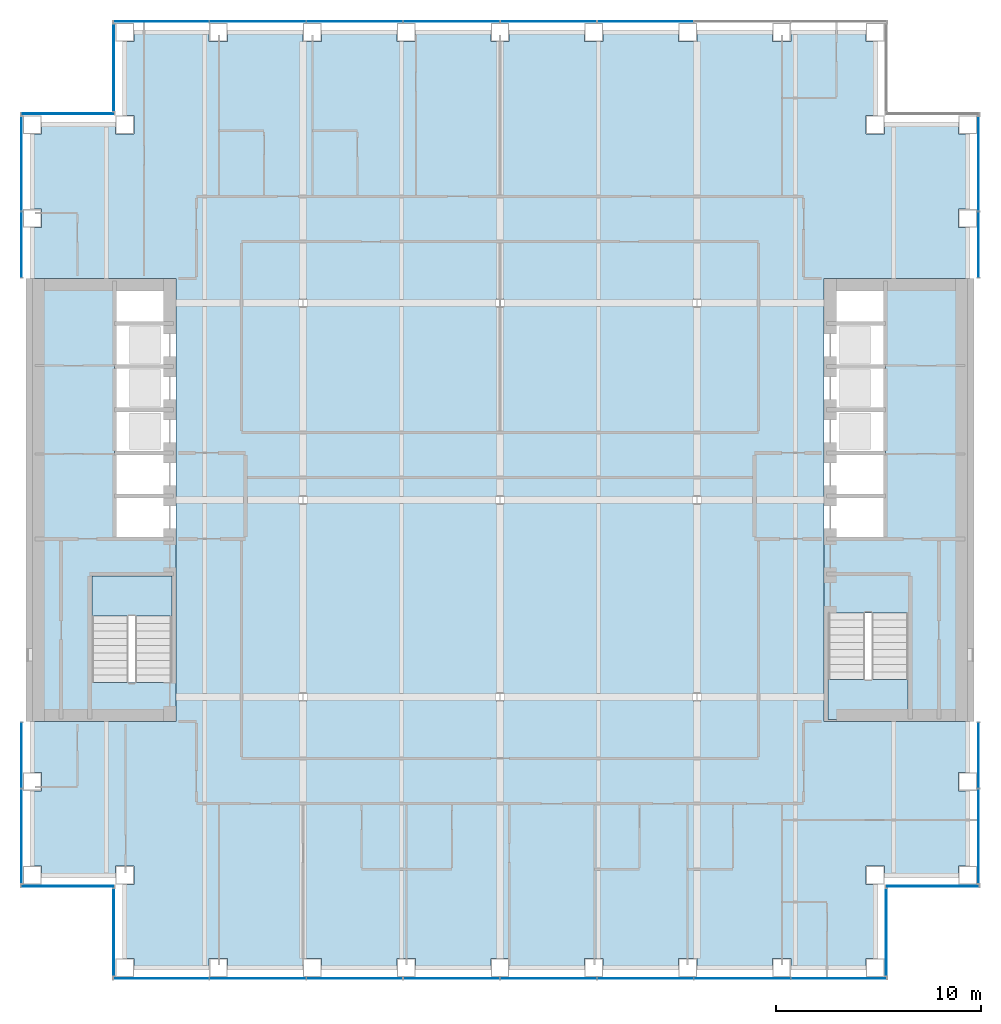
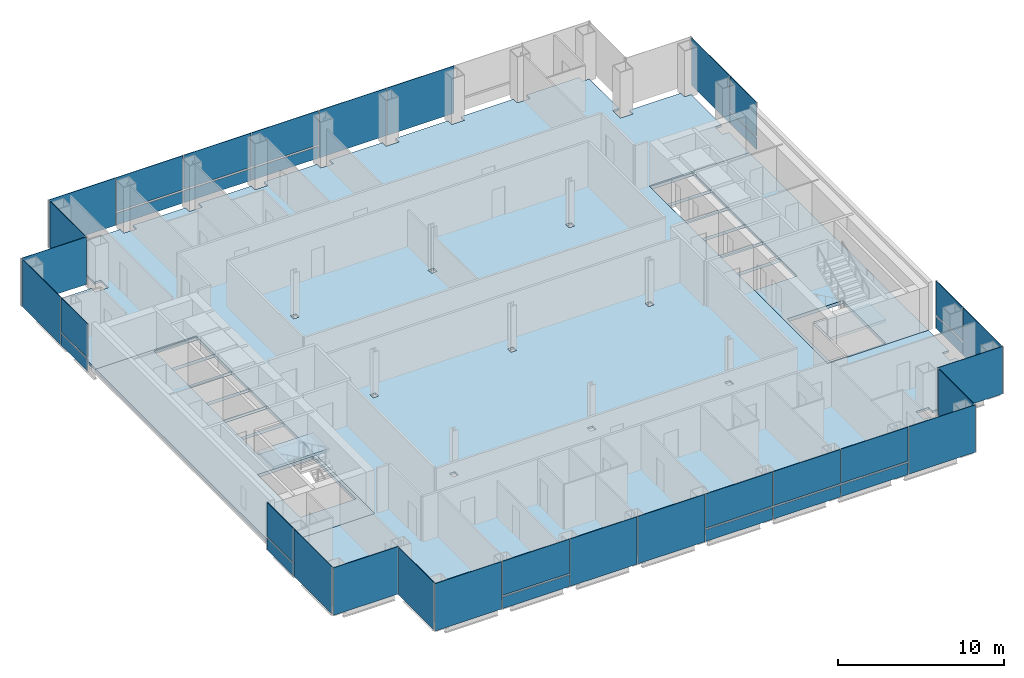
# One storey, part 9 of 15: 39 plates, 5 slabs, 14 elements without a shape of their own.
"""IFC4 building model written with IfcOpenShell, lengths in metres."""

from ifc_helpers import new_model, si_unit, direction, frame, origin, origin_2d, place, context, subcontext, project, spatial, polyline, rectangle, outline, extrude, material, layer, layer_set, type_object, element, aggregate, save


model = new_model("IFC4")

# Units and contexts
model_context = context("Model", 3, precision=1e-05, world=origin(), true_north=direction((0.0, 1.0)))
body_context = subcontext(model_context, "Body", "Model", "MODEL_VIEW")
ifc_project = project(units=[si_unit("LENGTHUNIT", "METRE"), si_unit("AREAUNIT", "SQUARE_METRE"), si_unit("VOLUMEUNIT", "CUBIC_METRE"), si_unit("PLANEANGLEUNIT", "RADIAN"), si_unit("MASSUNIT", "GRAM", prefix="KILO")], contexts=[model_context])

# Site, building, storey
site_placement = place(None, origin())
site = spatial("IfcSite", under=ifc_project, at=site_placement, CompositionType="ELEMENT")
building_placement = place(site_placement, origin())
building = spatial("IfcBuilding", under=site, at=building_placement, Name="Cobrizo Arcos Hotel Tower", CompositionType="ELEMENT")
storey_placement = place(building_placement, frame((0.0, 0.0, 99.5)))
storey = spatial("IfcBuildingStorey", under=building, at=storey_placement, Name="L24", CompositionType="ELEMENT", Elevation=99.5)

# Curtain wall, plates
ifc_material_1 = material(Name="Aluminium 6063-T6 anodised bronze", Category="aluminium")
curtain_wall_type = type_object("IfcCurtainWallType", Name="CW-A guest facade", PredefinedType="NOTDEFINED", material=ifc_material_1)
curtain_wall_1_placement = place(storey_placement, origin())
curtain_wall_1 = element("IfcCurtainWall", 1, at=curtain_wall_1_placement, inside=storey, type_object=curtain_wall_type, Name="CW-A L24 S face", PredefinedType="NOTDEFINED")
ifc_material_2 = material(Name="Glass clear laminated low-e", Category="glass")
ifc_layer_1 = layer(ifc_material_2, 0.0400390625)
ifc_layer_set_1 = layer_set([ifc_layer_1], Name="CW-A glass panel")
plate_type_1 = type_object("IfcPlateType", Name="CW-A glass panel", PredefinedType="CURTAIN_PANEL", material=ifc_layer_set_1)
plate_1_placement = place(storey_placement, frame((-11.8125, -23.324951171875, 0.990234375), z_axis=(0.0, 0.0, 1.0), x_axis=(1.0, 0.0, 0.0)))
plate_1 = element("IfcPlate", 2, at=plate_1_placement, type_object=plate_type_1, Name="CW-A glass panel 948", PredefinedType="CURTAIN_PANEL", context=body_context, shape_type="SweptSolid", body=[
    extrude(rectangle(XDim=4.6650390625, YDim=0.0400390625, at=origin_2d()), origin(), (0.0, 0.0, 1.0), 2.510009765625),
])
plate_2_placement = place(storey_placement, frame((2.362548828125, -23.324951171875, 0.990234375), z_axis=(0.0, 0.0, 1.0), x_axis=(1.0, 0.0, 0.0)))
plate_2 = element("IfcPlate", 3, at=plate_2_placement, type_object=plate_type_1, Name="CW-A glass panel 951", PredefinedType="CURTAIN_PANEL", context=body_context, shape_type="SweptSolid", body=[
    extrude(rectangle(XDim=4.6650390625, YDim=0.0400390625, at=origin_2d()), origin(), (0.0, 0.0, 1.0), 2.510009765625),
])
plate_3_placement = place(storey_placement, frame((7.08740234375, -23.324951171875, 0.990234375), z_axis=(0.0, 0.0, 1.0), x_axis=(1.0, 0.0, 0.0)))
plate_3 = element("IfcPlate", 4, at=plate_3_placement, type_object=plate_type_1, Name="CW-A glass panel 952", PredefinedType="CURTAIN_PANEL", context=body_context, shape_type="SweptSolid", body=[
    extrude(rectangle(XDim=4.6650390625, YDim=0.0400390625, at=origin_2d()), origin(), (0.0, 0.0, 1.0), 2.510009765625),
])
plate_4_placement = place(storey_placement, frame((11.8125, -23.324951171875, 0.990234375), z_axis=(0.0, 0.0, 1.0), x_axis=(1.0, 0.0, 0.0)))
plate_4 = element("IfcPlate", 5, at=plate_4_placement, type_object=plate_type_1, Name="CW-A glass panel 953", PredefinedType="CURTAIN_PANEL", context=body_context, shape_type="SweptSolid", body=[
    extrude(rectangle(XDim=4.6650390625, YDim=0.0400390625, at=origin_2d()), origin(), (0.0, 0.0, 1.0), 2.510009765625),
])

# Curtain wall, plate
curtain_wall_2_placement = place(storey_placement, origin())
curtain_wall_2 = element("IfcCurtainWall", 6, at=curtain_wall_2_placement, inside=storey, type_object=curtain_wall_type, Name="CW-A L24 E face", PredefinedType="NOTDEFINED")
plate_5_placement = place(storey_placement, frame((23.324951171875, -12.4462890625, 0.990234375), z_axis=(0.0, 0.0, 1.0), x_axis=(0.0, 1.0, 0.0)))
plate_5 = element("IfcPlate", 7, at=plate_5_placement, type_object=plate_type_1, Name="CW-A glass panel 958", PredefinedType="CURTAIN_PANEL", context=body_context, shape_type="SweptSolid", body=[
    extrude(rectangle(XDim=3.172607421875, YDim=0.0400390625, at=origin_2d()), origin(), (0.0, 0.0, 1.0), 2.510009765625),
])

curtain_wall_3_placement = place(storey_placement, origin())
curtain_wall_3 = element("IfcCurtainWall", 8, at=curtain_wall_3_placement, inside=storey, type_object=curtain_wall_type, Name="CW-A L24 E face", PredefinedType="NOTDEFINED")
plate_6_placement = place(storey_placement, frame((23.324951171875, 12.4462890625, 0.990234375), z_axis=(0.0, 0.0, 1.0), x_axis=(0.0, 1.0, 0.0)))
plate_6 = element("IfcPlate", 9, at=plate_6_placement, type_object=plate_type_1, Name="CW-A glass panel 959", PredefinedType="CURTAIN_PANEL", context=body_context, shape_type="SweptSolid", body=[
    extrude(rectangle(XDim=3.172607421875, YDim=0.0400390625, at=origin_2d()), origin(), (0.0, 0.0, 1.0), 2.510009765625),
])

# Curtain wall, plates
curtain_wall_4_placement = place(storey_placement, origin())
curtain_wall_4 = element("IfcCurtainWall", 10, at=curtain_wall_4_placement, inside=storey, type_object=curtain_wall_type, Name="CW-A L24 N face", PredefinedType="NOTDEFINED")
plate_7_placement = place(storey_placement, frame((-2.362548828125, 23.324951171875, 0.990234375), z_axis=(0.0, 0.0, 1.0), x_axis=(-1.0, 0.0, 0.0)))
plate_7 = element("IfcPlate", 11, at=plate_7_placement, type_object=plate_type_1, Name="CW-A glass panel 967", PredefinedType="CURTAIN_PANEL", context=body_context, shape_type="SweptSolid", body=[
    extrude(rectangle(XDim=4.6650390625, YDim=0.0400390625, at=origin_2d()), origin(), (0.0, 0.0, 1.0), 2.510009765625),
])
plate_8_placement = place(storey_placement, frame((-7.08740234375, 23.324951171875, 0.990234375), z_axis=(0.0, 0.0, 1.0), x_axis=(-1.0, 0.0, 0.0)))
plate_8 = element("IfcPlate", 12, at=plate_8_placement, type_object=plate_type_1, Name="CW-A glass panel 968", PredefinedType="CURTAIN_PANEL", context=body_context, shape_type="SweptSolid", body=[
    extrude(rectangle(XDim=4.6650390625, YDim=0.0400390625, at=origin_2d()), origin(), (0.0, 0.0, 1.0), 2.510009765625),
])
plate_9_placement = place(storey_placement, frame((-11.8125, 23.324951171875, 0.990234375), z_axis=(0.0, 0.0, 1.0), x_axis=(-1.0, 0.0, 0.0)))
plate_9 = element("IfcPlate", 13, at=plate_9_placement, type_object=plate_type_1, Name="CW-A glass panel 969", PredefinedType="CURTAIN_PANEL", context=body_context, shape_type="SweptSolid", body=[
    extrude(rectangle(XDim=4.6650390625, YDim=0.0400390625, at=origin_2d()), origin(), (0.0, 0.0, 1.0), 2.510009765625),
])

# Curtain wall, plate
curtain_wall_5_placement = place(storey_placement, origin())
curtain_wall_5 = element("IfcCurtainWall", 14, at=curtain_wall_5_placement, inside=storey, type_object=curtain_wall_type, Name="CW-A L24 W face", PredefinedType="NOTDEFINED")
plate_10_placement = place(storey_placement, frame((-23.324951171875, 12.4462890625, 0.990234375), z_axis=(0.0, 0.0, 1.0), x_axis=(0.0, -1.0, 0.0)))
plate_10 = element("IfcPlate", 15, at=plate_10_placement, type_object=plate_type_1, Name="CW-A glass panel 974", PredefinedType="CURTAIN_PANEL", context=body_context, shape_type="SweptSolid", body=[
    extrude(rectangle(XDim=3.172607421875, YDim=0.0400390625, at=origin_2d()), origin(), (0.0, 0.0, 1.0), 2.510009765625),
])

curtain_wall_6_placement = place(storey_placement, origin())
curtain_wall_6 = element("IfcCurtainWall", 16, at=curtain_wall_6_placement, inside=storey, type_object=curtain_wall_type, Name="CW-A L24 W face", PredefinedType="NOTDEFINED")
plate_11_placement = place(storey_placement, frame((-23.324951171875, -12.4462890625, 0.990234375), z_axis=(0.0, 0.0, 1.0), x_axis=(0.0, -1.0, 0.0)))
plate_11 = element("IfcPlate", 17, at=plate_11_placement, type_object=plate_type_1, Name="CW-A glass panel 975", PredefinedType="CURTAIN_PANEL", context=body_context, shape_type="SweptSolid", body=[
    extrude(rectangle(XDim=3.172607421875, YDim=0.0400390625, at=origin_2d()), origin(), (0.0, 0.0, 1.0), 2.510009765625),
])

# Plate
ifc_material_3 = material(Name="Aluminium composite panel pale metal", Category="aluminium")
ifc_layer_2 = layer(ifc_material_3, 0.0400390625)
ifc_layer_set_2 = layer_set([ifc_layer_2], Name="CW-A spandrel panel")
plate_type_2 = type_object("IfcPlateType", Name="CW-A spandrel panel", PredefinedType="CURTAIN_PANEL", material=ifc_layer_set_2)
plate_12_placement = place(storey_placement, frame((-16.5224609375, -23.324951171875, 0.0), z_axis=(0.0, 0.0, 1.0), x_axis=(1.0, 0.0, 0.0)))
plate_12 = element("IfcPlate", 18, at=plate_12_placement, type_object=plate_type_2, Name="CW-A spandrel panel 947", PredefinedType="CURTAIN_PANEL", context=body_context, shape_type="SweptSolid", body=[
    extrude(rectangle(XDim=4.635009765625, YDim=0.0400390625, at=origin_2d()), origin(), (0.0, 0.0, 1.0), 3.5),
])

plate_13_placement = place(storey_placement, frame((-11.8125, -23.324951171875, 0.0), z_axis=(0.0, 0.0, 1.0), x_axis=(1.0, 0.0, 0.0)))
plate_13 = element("IfcPlate", 19, at=plate_13_placement, type_object=plate_type_2, Name="CW-A spandrel panel 948", PredefinedType="CURTAIN_PANEL", context=body_context, shape_type="SweptSolid", body=[
    extrude(rectangle(XDim=4.6650390625, YDim=0.0400390625, at=origin_2d()), origin(), (0.0, 0.0, 1.0), 0.8701171875),
])

plate_14_placement = place(storey_placement, frame((-7.08740234375, -23.324951171875, 0.0), z_axis=(0.0, 0.0, 1.0), x_axis=(1.0, 0.0, 0.0)))
plate_14 = element("IfcPlate", 20, at=plate_14_placement, type_object=plate_type_2, Name="CW-A spandrel panel 949", PredefinedType="CURTAIN_PANEL", context=body_context, shape_type="SweptSolid", body=[
    extrude(rectangle(XDim=4.6650390625, YDim=0.0400390625, at=origin_2d()), origin(), (0.0, 0.0, 1.0), 3.5),
])

plate_15_placement = place(storey_placement, frame((-2.362548828125, -23.324951171875, 0.0), z_axis=(0.0, 0.0, 1.0), x_axis=(1.0, 0.0, 0.0)))
plate_15 = element("IfcPlate", 21, at=plate_15_placement, type_object=plate_type_2, Name="CW-A spandrel panel 950", PredefinedType="CURTAIN_PANEL", context=body_context, shape_type="SweptSolid", body=[
    extrude(rectangle(XDim=4.6650390625, YDim=0.0400390625, at=origin_2d()), origin(), (0.0, 0.0, 1.0), 3.5),
])

plate_16_placement = place(storey_placement, frame((2.362548828125, -23.324951171875, 0.0), z_axis=(0.0, 0.0, 1.0), x_axis=(1.0, 0.0, 0.0)))
plate_16 = element("IfcPlate", 22, at=plate_16_placement, type_object=plate_type_2, Name="CW-A spandrel panel 951", PredefinedType="CURTAIN_PANEL", context=body_context, shape_type="SweptSolid", body=[
    extrude(rectangle(XDim=4.6650390625, YDim=0.0400390625, at=origin_2d()), origin(), (0.0, 0.0, 1.0), 0.8701171875),
])

plate_17_placement = place(storey_placement, frame((7.08740234375, -23.324951171875, 0.0), z_axis=(0.0, 0.0, 1.0), x_axis=(1.0, 0.0, 0.0)))
plate_17 = element("IfcPlate", 23, at=plate_17_placement, type_object=plate_type_2, Name="CW-A spandrel panel 952", PredefinedType="CURTAIN_PANEL", context=body_context, shape_type="SweptSolid", body=[
    extrude(rectangle(XDim=4.6650390625, YDim=0.0400390625, at=origin_2d()), origin(), (0.0, 0.0, 1.0), 0.8701171875),
])

plate_18_placement = place(storey_placement, frame((11.8125, -23.324951171875, 0.0), z_axis=(0.0, 0.0, 1.0), x_axis=(1.0, 0.0, 0.0)))
plate_18 = element("IfcPlate", 24, at=plate_18_placement, type_object=plate_type_2, Name="CW-A spandrel panel 953", PredefinedType="CURTAIN_PANEL", context=body_context, shape_type="SweptSolid", body=[
    extrude(rectangle(XDim=4.6650390625, YDim=0.0400390625, at=origin_2d()), origin(), (0.0, 0.0, 1.0), 0.8701171875),
])

plate_19_placement = place(storey_placement, frame((16.5224609375, -23.324951171875, 0.0), z_axis=(0.0, 0.0, 1.0), x_axis=(1.0, 0.0, 0.0)))
plate_19 = element("IfcPlate", 25, at=plate_19_placement, type_object=plate_type_2, Name="CW-A spandrel panel 954", PredefinedType="CURTAIN_PANEL", context=body_context, shape_type="SweptSolid", body=[
    extrude(rectangle(XDim=4.635009765625, YDim=0.0400390625, at=origin_2d()), origin(), (0.0, 0.0, 1.0), 3.5),
])

aggregate(curtain_wall_1, [plate_12, plate_13, plate_1, plate_14, plate_15, plate_16, plate_2, plate_17, plate_3, plate_18, plate_4, plate_19])

# Curtain wall, plate
curtain_wall_7_placement = place(storey_placement, origin())
curtain_wall_7 = element("IfcCurtainWall", 26, at=curtain_wall_7_placement, inside=storey, type_object=curtain_wall_type, Name="CW-A L24 E face", PredefinedType="NOTDEFINED")
plate_20_placement = place(storey_placement, frame((18.824951171875, -21.074951171875, 0.0), z_axis=(0.0, 0.0, 1.0), x_axis=(0.0, 1.0, 0.0)))
plate_20 = element("IfcPlate", 27, at=plate_20_placement, type_object=plate_type_2, Name="CW-A spandrel panel 955", PredefinedType="CURTAIN_PANEL", context=body_context, shape_type="SweptSolid", body=[
    extrude(rectangle(XDim=4.22998046875, YDim=0.0400390625, at=origin_2d()), origin(), (0.0, 0.0, 1.0), 3.5),
])
aggregate(curtain_wall_7, [plate_20])

curtain_wall_8_placement = place(storey_placement, origin())
curtain_wall_8 = element("IfcCurtainWall", 28, at=curtain_wall_8_placement, inside=storey, type_object=curtain_wall_type, Name="CW-A L24 S face", PredefinedType="NOTDEFINED")
plate_21_placement = place(storey_placement, frame((21.074951171875, -18.824951171875, 0.0), z_axis=(0.0, 0.0, 1.0), x_axis=(1.0, 0.0, 0.0)))
plate_21 = element("IfcPlate", 29, at=plate_21_placement, type_object=plate_type_2, Name="CW-A spandrel panel 956", PredefinedType="CURTAIN_PANEL", context=body_context, shape_type="SweptSolid", body=[
    extrude(rectangle(XDim=4.530029296875, YDim=0.0400390625, at=origin_2d()), origin(), (0.0, 0.0, 1.0), 3.5),
])
aggregate(curtain_wall_8, [plate_21])

# Plate
plate_22_placement = place(storey_placement, frame((23.324951171875, -16.391357421875, 0.0), z_axis=(0.0, 0.0, 1.0), x_axis=(0.0, 1.0, 0.0)))
plate_22 = element("IfcPlate", 30, at=plate_22_placement, type_object=plate_type_2, Name="CW-A spandrel panel 957", PredefinedType="CURTAIN_PANEL", context=body_context, shape_type="SweptSolid", body=[
    extrude(rectangle(XDim=4.597412109375, YDim=0.0400390625, at=origin_2d()), origin(), (0.0, 0.0, 1.0), 3.5),
])

plate_23_placement = place(storey_placement, frame((23.324951171875, -12.4462890625, 0.0), z_axis=(0.0, 0.0, 1.0), x_axis=(0.0, 1.0, 0.0)))
plate_23 = element("IfcPlate", 31, at=plate_23_placement, type_object=plate_type_2, Name="CW-A spandrel panel 958", PredefinedType="CURTAIN_PANEL", context=body_context, shape_type="SweptSolid", body=[
    extrude(rectangle(XDim=3.172607421875, YDim=0.0400390625, at=origin_2d()), origin(), (0.0, 0.0, 1.0), 0.8701171875),
])

aggregate(curtain_wall_2, [plate_22, plate_23, plate_5])

plate_24_placement = place(storey_placement, frame((23.324951171875, 12.4462890625, 0.0), z_axis=(0.0, 0.0, 1.0), x_axis=(0.0, 1.0, 0.0)))
plate_24 = element("IfcPlate", 32, at=plate_24_placement, type_object=plate_type_2, Name="CW-A spandrel panel 959", PredefinedType="CURTAIN_PANEL", context=body_context, shape_type="SweptSolid", body=[
    extrude(rectangle(XDim=3.172607421875, YDim=0.0400390625, at=origin_2d()), origin(), (0.0, 0.0, 1.0), 0.8701171875),
])

plate_25_placement = place(storey_placement, frame((23.324951171875, 16.391357421875, 0.0), z_axis=(0.0, 0.0, 1.0), x_axis=(0.0, 1.0, 0.0)))
plate_25 = element("IfcPlate", 33, at=plate_25_placement, type_object=plate_type_2, Name="CW-A spandrel panel 960", PredefinedType="CURTAIN_PANEL", context=body_context, shape_type="SweptSolid", body=[
    extrude(rectangle(XDim=4.597412109375, YDim=0.0400390625, at=origin_2d()), origin(), (0.0, 0.0, 1.0), 3.5),
])

aggregate(curtain_wall_3, [plate_24, plate_6, plate_25])

plate_26_placement = place(storey_placement, frame((7.08740234375, 23.324951171875, 0.0), z_axis=(0.0, 0.0, 1.0), x_axis=(-1.0, 0.0, 0.0)))
plate_26 = element("IfcPlate", 34, at=plate_26_placement, type_object=plate_type_2, Name="CW-A spandrel panel 965", PredefinedType="CURTAIN_PANEL", context=body_context, shape_type="SweptSolid", body=[
    extrude(rectangle(XDim=4.6650390625, YDim=0.0400390625, at=origin_2d()), origin(), (0.0, 0.0, 1.0), 3.5),
])

plate_27_placement = place(storey_placement, frame((2.362548828125, 23.324951171875, 0.0), z_axis=(0.0, 0.0, 1.0), x_axis=(-1.0, 0.0, 0.0)))
plate_27 = element("IfcPlate", 35, at=plate_27_placement, type_object=plate_type_2, Name="CW-A spandrel panel 966", PredefinedType="CURTAIN_PANEL", context=body_context, shape_type="SweptSolid", body=[
    extrude(rectangle(XDim=4.6650390625, YDim=0.0400390625, at=origin_2d()), origin(), (0.0, 0.0, 1.0), 3.5),
])

plate_28_placement = place(storey_placement, frame((-2.362548828125, 23.324951171875, 0.0), z_axis=(0.0, 0.0, 1.0), x_axis=(-1.0, 0.0, 0.0)))
plate_28 = element("IfcPlate", 36, at=plate_28_placement, type_object=plate_type_2, Name="CW-A spandrel panel 967", PredefinedType="CURTAIN_PANEL", context=body_context, shape_type="SweptSolid", body=[
    extrude(rectangle(XDim=4.6650390625, YDim=0.0400390625, at=origin_2d()), origin(), (0.0, 0.0, 1.0), 0.8701171875),
])

plate_29_placement = place(storey_placement, frame((-7.08740234375, 23.324951171875, 0.0), z_axis=(0.0, 0.0, 1.0), x_axis=(-1.0, 0.0, 0.0)))
plate_29 = element("IfcPlate", 37, at=plate_29_placement, type_object=plate_type_2, Name="CW-A spandrel panel 968", PredefinedType="CURTAIN_PANEL", context=body_context, shape_type="SweptSolid", body=[
    extrude(rectangle(XDim=4.6650390625, YDim=0.0400390625, at=origin_2d()), origin(), (0.0, 0.0, 1.0), 0.8701171875),
])

plate_30_placement = place(storey_placement, frame((-11.8125, 23.324951171875, 0.0), z_axis=(0.0, 0.0, 1.0), x_axis=(-1.0, 0.0, 0.0)))
plate_30 = element("IfcPlate", 38, at=plate_30_placement, type_object=plate_type_2, Name="CW-A spandrel panel 969", PredefinedType="CURTAIN_PANEL", context=body_context, shape_type="SweptSolid", body=[
    extrude(rectangle(XDim=4.6650390625, YDim=0.0400390625, at=origin_2d()), origin(), (0.0, 0.0, 1.0), 0.8701171875),
])

plate_31_placement = place(storey_placement, frame((-16.5224609375, 23.324951171875, 0.0), z_axis=(0.0, 0.0, 1.0), x_axis=(-1.0, 0.0, 0.0)))
plate_31 = element("IfcPlate", 39, at=plate_31_placement, type_object=plate_type_2, Name="CW-A spandrel panel 970", PredefinedType="CURTAIN_PANEL", context=body_context, shape_type="SweptSolid", body=[
    extrude(rectangle(XDim=4.635009765625, YDim=0.0400390625, at=origin_2d()), origin(), (0.0, 0.0, 1.0), 3.5),
])

aggregate(curtain_wall_4, [plate_26, plate_27, plate_28, plate_7, plate_29, plate_8, plate_30, plate_9, plate_31])

# Curtain wall, plate
curtain_wall_9_placement = place(storey_placement, origin())
curtain_wall_9 = element("IfcCurtainWall", 40, at=curtain_wall_9_placement, inside=storey, type_object=curtain_wall_type, Name="CW-A L24 W face", PredefinedType="NOTDEFINED")
plate_32_placement = place(storey_placement, frame((-18.824951171875, 21.074951171875, 0.0), z_axis=(0.0, 0.0, 1.0), x_axis=(0.0, -1.0, 0.0)))
plate_32 = element("IfcPlate", 41, at=plate_32_placement, type_object=plate_type_2, Name="CW-A spandrel panel 971", PredefinedType="CURTAIN_PANEL", context=body_context, shape_type="SweptSolid", body=[
    extrude(rectangle(XDim=4.22998046875, YDim=0.0400390625, at=origin_2d()), origin(), (0.0, 0.0, 1.0), 3.5),
])
aggregate(curtain_wall_9, [plate_32])

curtain_wall_10_placement = place(storey_placement, origin())
curtain_wall_10 = element("IfcCurtainWall", 42, at=curtain_wall_10_placement, inside=storey, type_object=curtain_wall_type, Name="CW-A L24 N face", PredefinedType="NOTDEFINED")
plate_33_placement = place(storey_placement, frame((-21.074951171875, 18.824951171875, 0.0), z_axis=(0.0, 0.0, 1.0), x_axis=(-1.0, 0.0, 0.0)))
plate_33 = element("IfcPlate", 43, at=plate_33_placement, type_object=plate_type_2, Name="CW-A spandrel panel 972", PredefinedType="CURTAIN_PANEL", context=body_context, shape_type="SweptSolid", body=[
    extrude(rectangle(XDim=4.530029296875, YDim=0.0400390625, at=origin_2d()), origin(), (0.0, 0.0, 1.0), 3.5),
])
aggregate(curtain_wall_10, [plate_33])

# Plate
plate_34_placement = place(storey_placement, frame((-23.324951171875, 16.391357421875, 0.0), z_axis=(0.0, 0.0, 1.0), x_axis=(0.0, -1.0, 0.0)))
plate_34 = element("IfcPlate", 44, at=plate_34_placement, type_object=plate_type_2, Name="CW-A spandrel panel 973", PredefinedType="CURTAIN_PANEL", context=body_context, shape_type="SweptSolid", body=[
    extrude(rectangle(XDim=4.597412109375, YDim=0.0400390625, at=origin_2d()), origin(), (0.0, 0.0, 1.0), 3.5),
])

plate_35_placement = place(storey_placement, frame((-23.324951171875, 12.4462890625, 0.0), z_axis=(0.0, 0.0, 1.0), x_axis=(0.0, -1.0, 0.0)))
plate_35 = element("IfcPlate", 45, at=plate_35_placement, type_object=plate_type_2, Name="CW-A spandrel panel 974", PredefinedType="CURTAIN_PANEL", context=body_context, shape_type="SweptSolid", body=[
    extrude(rectangle(XDim=3.172607421875, YDim=0.0400390625, at=origin_2d()), origin(), (0.0, 0.0, 1.0), 0.8701171875),
])

aggregate(curtain_wall_5, [plate_34, plate_35, plate_10])

plate_36_placement = place(storey_placement, frame((-23.324951171875, -12.4462890625, 0.0), z_axis=(0.0, 0.0, 1.0), x_axis=(0.0, -1.0, 0.0)))
plate_36 = element("IfcPlate", 46, at=plate_36_placement, type_object=plate_type_2, Name="CW-A spandrel panel 975", PredefinedType="CURTAIN_PANEL", context=body_context, shape_type="SweptSolid", body=[
    extrude(rectangle(XDim=3.172607421875, YDim=0.0400390625, at=origin_2d()), origin(), (0.0, 0.0, 1.0), 0.8701171875),
])

plate_37_placement = place(storey_placement, frame((-23.324951171875, -16.391357421875, 0.0), z_axis=(0.0, 0.0, 1.0), x_axis=(0.0, -1.0, 0.0)))
plate_37 = element("IfcPlate", 47, at=plate_37_placement, type_object=plate_type_2, Name="CW-A spandrel panel 976", PredefinedType="CURTAIN_PANEL", context=body_context, shape_type="SweptSolid", body=[
    extrude(rectangle(XDim=4.597412109375, YDim=0.0400390625, at=origin_2d()), origin(), (0.0, 0.0, 1.0), 3.5),
])

aggregate(curtain_wall_6, [plate_36, plate_11, plate_37])

# Curtain wall, plate
curtain_wall_11_placement = place(storey_placement, origin())
curtain_wall_11 = element("IfcCurtainWall", 48, at=curtain_wall_11_placement, inside=storey, type_object=curtain_wall_type, Name="CW-A L24 S face", PredefinedType="NOTDEFINED")
plate_38_placement = place(storey_placement, frame((-21.074951171875, -18.824951171875, 0.0), z_axis=(0.0, 0.0, 1.0), x_axis=(1.0, 0.0, 0.0)))
plate_38 = element("IfcPlate", 49, at=plate_38_placement, type_object=plate_type_2, Name="CW-A spandrel panel 977", PredefinedType="CURTAIN_PANEL", context=body_context, shape_type="SweptSolid", body=[
    extrude(rectangle(XDim=4.530029296875, YDim=0.0400390625, at=origin_2d()), origin(), (0.0, 0.0, 1.0), 3.5),
])
aggregate(curtain_wall_11, [plate_38])

curtain_wall_12_placement = place(storey_placement, origin())
curtain_wall_12 = element("IfcCurtainWall", 50, at=curtain_wall_12_placement, inside=storey, type_object=curtain_wall_type, Name="CW-A L24 W face", PredefinedType="NOTDEFINED")
plate_39_placement = place(storey_placement, frame((-18.824951171875, -21.074951171875, 0.0), z_axis=(0.0, 0.0, 1.0), x_axis=(0.0, -1.0, 0.0)))
plate_39 = element("IfcPlate", 51, at=plate_39_placement, type_object=plate_type_2, Name="CW-A spandrel panel 978", PredefinedType="CURTAIN_PANEL", context=body_context, shape_type="SweptSolid", body=[
    extrude(rectangle(XDim=4.22998046875, YDim=0.0400390625, at=origin_2d()), origin(), (0.0, 0.0, 1.0), 3.5),
])
aggregate(curtain_wall_12, [plate_39])

# Slabs
ifc_material_4 = material(Name="Concrete f'c 35 MPa", Category="concrete")
ifc_layer_3 = layer(ifc_material_4, 0.14990234375)
ifc_layer_set_3 = layer_set([ifc_layer_3], Name="Composite floor slab 150 f'c 35")
slab_type_1 = type_object("IfcSlabType", Name="Composite floor slab 150 f'c 35", PredefinedType="FLOOR", material=ifc_layer_set_3)
slab_1_placement = place(storey_placement, frame((0.0, 0.0, -0.14990234375)))
element("IfcSlab", 52, at=slab_1_placement, inside=storey, type_object=slab_type_1, Name="Floor slab S5, L24, no. 01", PredefinedType="FLOOR", context=body_context, shape_type="SweptSolid", body=[
    extrude(outline(polyline([(-17.85009765625, -22.800048828125), (-17.85009765625, -22.35009765625), (-18.300048828125, -22.35009765625), (-18.300048828125, -18.75), (-17.85009765625, -18.75), (-17.85009765625, -17.85009765625), (-18.75, -17.85009765625), (-18.75, -18.300048828125), (-22.35009765625, -18.300048828125), (-22.35009765625, -17.85009765625), (-22.800048828125, -17.85009765625), (-22.800048828125, -14.175048828125), (-22.35009765625, -14.175048828125), (-22.35009765625, -13.27490234375), (-22.800048828125, -13.27490234375), (-22.800048828125, -10.800048828125), (-15.800048828125, -10.800048828125), (-15.800048828125, 10.800048828125), (-22.800048828125, 10.800048828125), (-22.800048828125, 13.27490234375), (-22.35009765625, 13.27490234375), (-22.35009765625, 14.175048828125), (-22.800048828125, 14.175048828125), (-22.800048828125, 17.85009765625), (-22.35009765625, 17.85009765625), (-22.35009765625, 18.300048828125), (-18.75, 18.300048828125), (-18.75, 17.85009765625), (-17.85009765625, 17.85009765625), (-17.85009765625, 18.75), (-18.300048828125, 18.75), (-18.300048828125, 22.35009765625), (-17.85009765625, 22.35009765625), (-17.85009765625, 22.800048828125), (-14.175048828125, 22.800048828125), (-14.175048828125, 22.35009765625), (-13.27490234375, 22.35009765625), (-13.27490234375, 22.800048828125), (-9.60009765625, 22.800048828125), (-9.60009765625, 22.35009765625), (-8.699951171875, 22.35009765625), (-8.699951171875, 22.800048828125), (-5.02490234375, 22.800048828125), (-5.02490234375, 22.35009765625), (-4.125, 22.35009765625), (-4.125, 22.800048828125), (-0.449951171875, 22.800048828125), (-0.449951171875, 22.35009765625), (0.449951171875, 22.35009765625), (0.449951171875, 22.800048828125), (4.125, 22.800048828125), (4.125, 22.35009765625), (5.02490234375, 22.35009765625), (5.02490234375, 22.800048828125), (8.699951171875, 22.800048828125), (8.699951171875, 22.35009765625), (9.60009765625, 22.35009765625), (9.60009765625, 22.800048828125), (13.27490234375, 22.800048828125), (13.27490234375, 22.35009765625), (14.175048828125, 22.35009765625), (14.175048828125, 22.800048828125), (17.85009765625, 22.800048828125), (17.85009765625, 22.35009765625), (18.300048828125, 22.35009765625), (18.300048828125, 18.75), (17.85009765625, 18.75), (17.85009765625, 17.85009765625), (18.75, 17.85009765625), (18.75, 18.300048828125), (22.35009765625, 18.300048828125), (22.35009765625, 17.85009765625), (22.800048828125, 17.85009765625), (22.800048828125, 14.175048828125), (22.35009765625, 14.175048828125), (22.35009765625, 13.27490234375), (22.800048828125, 13.27490234375), (22.800048828125, 10.800048828125), (15.800048828125, 10.800048828125), (15.800048828125, -10.800048828125), (22.800048828125, -10.800048828125), (22.800048828125, -13.27490234375), (22.35009765625, -13.27490234375), (22.35009765625, -14.175048828125), (22.800048828125, -14.175048828125), (22.800048828125, -17.85009765625), (22.35009765625, -17.85009765625), (22.35009765625, -18.300048828125), (18.75, -18.300048828125), (18.75, -17.85009765625), (17.85009765625, -17.85009765625), (17.85009765625, -18.75), (18.300048828125, -18.75), (18.300048828125, -22.35009765625), (17.85009765625, -22.35009765625), (17.85009765625, -22.800048828125), (14.175048828125, -22.800048828125), (14.175048828125, -22.35009765625), (13.27490234375, -22.35009765625), (13.27490234375, -22.800048828125), (9.60009765625, -22.800048828125), (9.60009765625, -22.35009765625), (8.699951171875, -22.35009765625), (8.699951171875, -22.800048828125), (5.02490234375, -22.800048828125), (5.02490234375, -22.35009765625), (4.125, -22.35009765625), (4.125, -22.800048828125), (0.449951171875, -22.800048828125), (0.449951171875, -22.35009765625), (-0.449951171875, -22.35009765625), (-0.449951171875, -22.800048828125), (-4.125, -22.800048828125), (-4.125, -22.35009765625), (-5.02490234375, -22.35009765625), (-5.02490234375, -22.800048828125), (-8.699951171875, -22.800048828125), (-8.699951171875, -22.35009765625), (-9.60009765625, -22.35009765625), (-9.60009765625, -22.800048828125), (-13.27490234375, -22.800048828125), (-13.27490234375, -22.35009765625), (-14.175048828125, -22.35009765625), (-14.175048828125, -22.800048828125), (-17.85009765625, -22.800048828125)]), holes=[polyline([(-9.400634765625, -9.79931640625), (-9.400634765625, -9.400634765625), (-9.79931640625, -9.400634765625), (-9.79931640625, -9.79931640625), (-9.400634765625, -9.79931640625)]), polyline([(-9.400634765625, -0.199462890625), (-9.400634765625, 0.199462890625), (-9.79931640625, 0.199462890625), (-9.79931640625, -0.199462890625), (-9.400634765625, -0.199462890625)]), polyline([(-9.79931640625, 9.400634765625), (-9.400634765625, 9.400634765625), (-9.400634765625, 9.79931640625), (-9.79931640625, 9.79931640625), (-9.79931640625, 9.400634765625)]), polyline([(-0.199462890625, -9.79931640625), (0.199462890625, -9.79931640625), (0.199462890625, -9.400634765625), (-0.199462890625, -9.400634765625), (-0.199462890625, -9.79931640625)]), polyline([(0.199462890625, -0.199462890625), (0.199462890625, 0.199462890625), (-0.199462890625, 0.199462890625), (-0.199462890625, -0.199462890625), (0.199462890625, -0.199462890625)]), polyline([(0.199462890625, 9.400634765625), (0.199462890625, 9.79931640625), (-0.199462890625, 9.79931640625), (-0.199462890625, 9.400634765625), (0.199462890625, 9.400634765625)]), polyline([(9.79931640625, 9.400634765625), (9.79931640625, 9.79931640625), (9.400634765625, 9.79931640625), (9.400634765625, 9.400634765625), (9.79931640625, 9.400634765625)]), polyline([(9.400634765625, -9.79931640625), (9.79931640625, -9.79931640625), (9.79931640625, -9.400634765625), (9.400634765625, -9.400634765625), (9.400634765625, -9.79931640625)]), polyline([(9.400634765625, -0.199462890625), (9.79931640625, -0.199462890625), (9.79931640625, 0.199462890625), (9.400634765625, 0.199462890625), (9.400634765625, -0.199462890625)])]), origin(), (0.0, 0.0, 1.0), 0.14990234375),
])
ifc_material_5 = material(Name="Concrete f'c 50 MPa", Category="concrete")
ifc_layer_4 = layer(ifc_material_5, 0.25)
ifc_layer_set_4 = layer_set([ifc_layer_4], Name="RC core floor slab 250 f'c 50")
slab_type_2 = type_object("IfcSlabType", Name="RC core floor slab 250 f'c 50", PredefinedType="FLOOR", material=ifc_layer_set_4)
slab_2_placement = place(storey_placement, frame((0.0, 0.0, -0.25)))
element("IfcSlab", 53, at=slab_2_placement, inside=storey, type_object=slab_type_2, Name="Core floor slab CS5, east core, L24", PredefinedType="FLOOR", context=body_context, shape_type="SweptSolid", body=[
    extrude(outline(polyline([(15.800048828125, 10.800048828125), (22.800048828125, 10.800048828125), (22.800048828125, -10.800048828125), (15.800048828125, -10.800048828125), (15.800048828125, 10.800048828125)]), holes=[polyline([(19.89794921875, -10.697998046875), (19.89794921875, -5.501953125), (16.001953125, -5.501953125), (16.001953125, -10.697998046875), (19.89794921875, -10.697998046875)]), polyline([(15.802001953125, 0.197998046875), (15.802001953125, -1.89794921875), (18.798095703125, -1.89794921875), (18.798095703125, 0.197998046875), (15.802001953125, 0.197998046875)]), polyline([(18.798095703125, 2.298095703125), (15.802001953125, 2.298095703125), (15.802001953125, 0.201904296875), (18.798095703125, 0.201904296875), (18.798095703125, 2.298095703125)]), polyline([(18.798095703125, 4.39794921875), (15.802001953125, 4.39794921875), (15.802001953125, 2.302001953125), (18.798095703125, 2.302001953125), (18.798095703125, 4.39794921875)]), polyline([(15.802001953125, 6.498046875), (15.802001953125, 4.402099609375), (18.798095703125, 4.402099609375), (18.798095703125, 6.498046875), (15.802001953125, 6.498046875)]), polyline([(18.798095703125, 8.597900390625), (15.802001953125, 8.597900390625), (15.802001953125, 6.501953125), (18.798095703125, 6.501953125), (18.798095703125, 8.597900390625)]), polyline([(18.798095703125, 10.697998046875), (15.802001953125, 10.697998046875), (15.802001953125, 8.60205078125), (18.798095703125, 8.60205078125), (18.798095703125, 10.697998046875)])]), origin(), (0.0, 0.0, 1.0), 0.25),
])
slab_3_placement = place(storey_placement, frame((0.0, 0.0, -0.25)))
element("IfcSlab", 54, at=slab_3_placement, inside=storey, type_object=slab_type_2, Name="Core floor slab CS5, west core, L24", PredefinedType="FLOOR", context=body_context, shape_type="SweptSolid", body=[
    extrude(outline(polyline([(-22.800048828125, 10.800048828125), (-15.800048828125, 10.800048828125), (-15.800048828125, -10.800048828125), (-22.800048828125, -10.800048828125), (-22.800048828125, 10.800048828125)]), holes=[polyline([(-19.89794921875, -3.701904296875), (-19.89794921875, -8.89794921875), (-16.001953125, -8.89794921875), (-16.001953125, -3.701904296875), (-19.89794921875, -3.701904296875)]), polyline([(-18.798095703125, 0.197998046875), (-18.798095703125, -1.89794921875), (-15.802001953125, -1.89794921875), (-15.802001953125, 0.197998046875), (-18.798095703125, 0.197998046875)]), polyline([(-15.802001953125, 2.298095703125), (-18.798095703125, 2.298095703125), (-18.798095703125, 0.201904296875), (-15.802001953125, 0.201904296875), (-15.802001953125, 2.298095703125)]), polyline([(-15.802001953125, 4.39794921875), (-18.798095703125, 4.39794921875), (-18.798095703125, 2.302001953125), (-15.802001953125, 2.302001953125), (-15.802001953125, 4.39794921875)]), polyline([(-18.798095703125, 6.498046875), (-18.798095703125, 4.402099609375), (-15.802001953125, 4.402099609375), (-15.802001953125, 6.498046875), (-18.798095703125, 6.498046875)]), polyline([(-15.802001953125, 8.597900390625), (-18.798095703125, 8.597900390625), (-18.798095703125, 6.501953125), (-15.802001953125, 6.501953125), (-15.802001953125, 8.597900390625)]), polyline([(-15.802001953125, 10.697998046875), (-18.798095703125, 10.697998046875), (-18.798095703125, 8.60205078125), (-15.802001953125, 8.60205078125), (-15.802001953125, 10.697998046875)])]), origin(), (0.0, 0.0, 1.0), 0.25),
])

# Stair, slab
ifc_material_6 = material(Name="Concrete f'c 40 MPa", Category="concrete")
stair_type = type_object("IfcStairType", Name="Exit stair", PredefinedType="HALF_TURN_STAIR", material=ifc_material_6)
stair_1_placement = place(storey_placement, origin())
stair_1 = element("IfcStair", 55, at=stair_1_placement, inside=storey, type_object=stair_type, Name="L24 Exit stair ST-W", PredefinedType="HALF_TURN_STAIR")
ifc_layer_5 = layer(ifc_material_6, 0.199951171875)
ifc_layer_set_5 = layer_set([ifc_layer_5], Name="Stair landing")
slab_type_3 = type_object("IfcSlabType", Name="Stair landing", PredefinedType="LANDING", material=ifc_layer_set_5)
slab_4_placement = place(storey_placement, frame((0.0, 0.0, 1.550048828125)))
slab_4 = element("IfcSlab", 56, at=slab_4_placement, type_object=slab_type_3, Name="ST-W landing 1", PredefinedType="LANDING", context=body_context, shape_type="SweptSolid", body=[
    extrude(outline(polyline([(-16.0, -5.659912109375), (-16.0, -3.699951171875), (-19.89990234375, -3.699951171875), (-19.89990234375, -5.659912109375), (-16.0, -5.659912109375)])), origin(), (0.0, 0.0, 1.0), 0.199951171875),
])
aggregate(stair_1, [slab_4])

stair_2_placement = place(storey_placement, origin())
stair_2 = element("IfcStair", 57, at=stair_2_placement, inside=storey, type_object=stair_type, Name="L24 Exit stair ST-E", PredefinedType="HALF_TURN_STAIR")
slab_5_placement = place(storey_placement, frame((0.0, 0.0, 1.550048828125)))
slab_5 = element("IfcSlab", 58, at=slab_5_placement, type_object=slab_type_3, Name="ST-E landing 1", PredefinedType="LANDING", context=body_context, shape_type="SweptSolid", body=[
    extrude(outline(polyline([(16.0, -8.739990234375), (16.0, -10.699951171875), (19.89990234375, -10.699951171875), (19.89990234375, -8.739990234375), (16.0, -8.739990234375)])), origin(), (0.0, 0.0, 1.0), 0.199951171875),
])
aggregate(stair_2, [slab_5])

save(model, "model.ifc")
